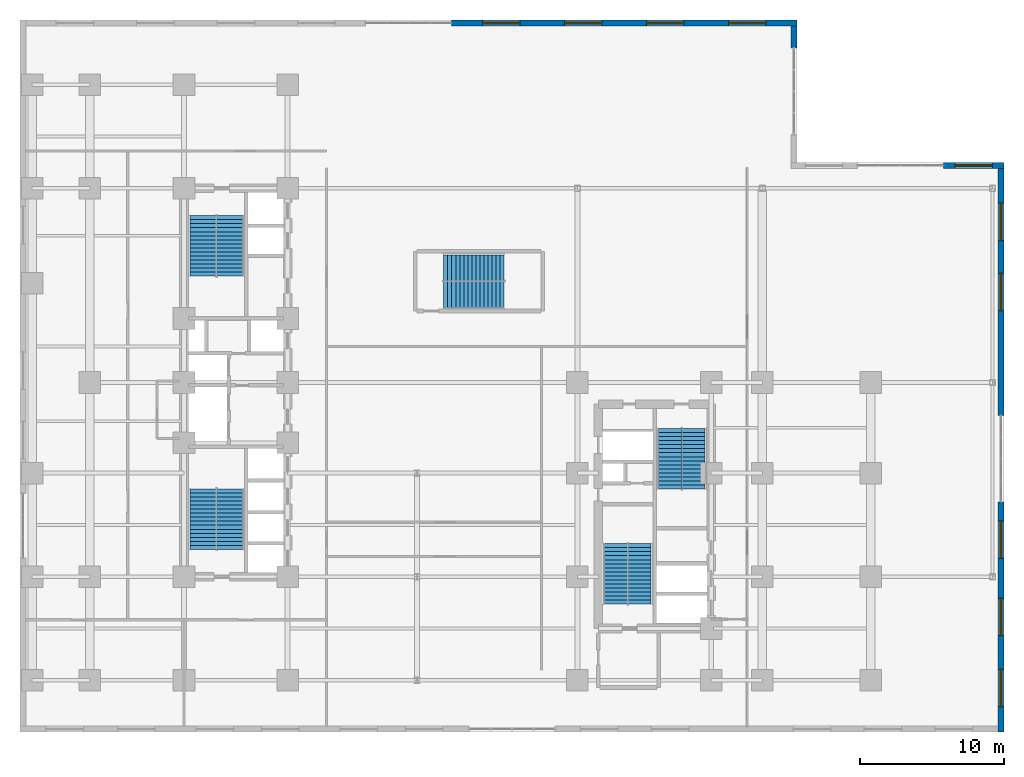
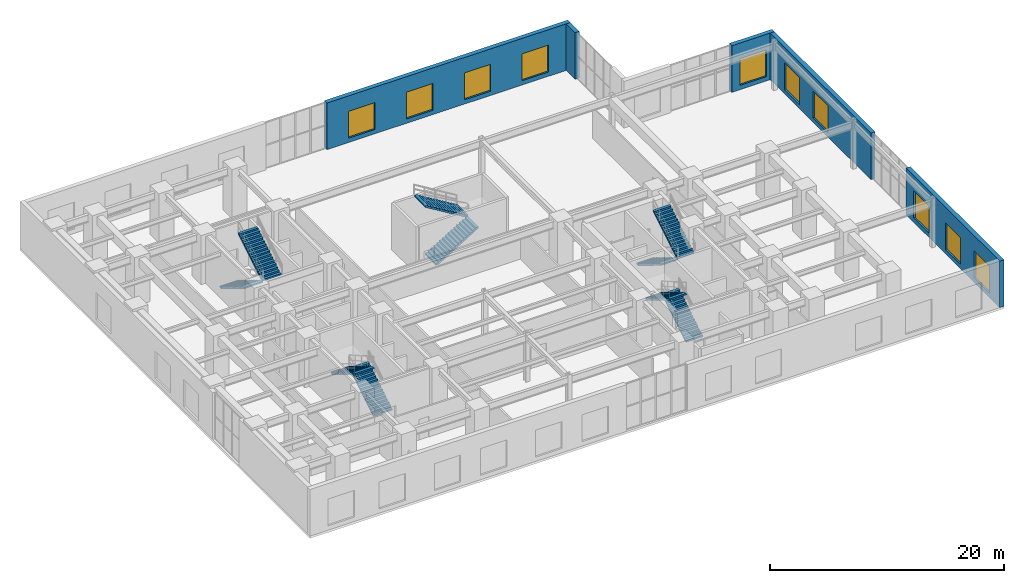
# One storey, part 20 of 23: 10 stair flights, 10 windows, 5 walls, 10 openings, 5 elements without a shape of their own.
"""IFC4 building model written with IfcOpenShell, lengths in metres."""

import ifcopenshell
import ifcopenshell.guid

model = None  # the IFC model being written
_history = None  # IfcOwnerHistory: only IFC2X3 demands one
_inside = {}  # id of a spatial element -> (the spatial element, [elements in it])
_under = {}  # id of a project, library or spatial element -> (it, [spatial elements below it])
_declared = {}  # id of a project -> (the project, [libraries it declares])
_typed = {}  # id of a type object -> (the type object, [elements of that type])
_made_of = {}  # id of a material, layer set ... -> (it, [elements and type objects made of it])


def new_model(schema):
    """Start an empty IFC model of exactly this schema.

    Asked for "IFC4X3", IfcOpenShell would pick the latest addendum, in which some entities
    have other attributes; the version numbers below select the first issue.
    IFC2X3 requires an IfcOwnerHistory on every rooted entity: one is made here for all.
    """
    global model, _history
    if schema == "IFC4X3":
        model = ifcopenshell.file(schema_version=(4, 3, 0, 0))
    else:
        model = ifcopenshell.file(schema=schema)
    _inside.clear()
    _under.clear()
    _declared.clear()
    _typed.clear()
    _made_of.clear()
    _history = None
    if model.schema == "IFC2X3":
        org = make("IfcOrganization", Name="unknown")
        user = make(
            "IfcPersonAndOrganization",
            ThePerson=make("IfcPerson", FamilyName="unknown"),
            TheOrganization=org,
        )
        app = make(
            "IfcApplication",
            ApplicationDeveloper=org,
            Version="unknown",
            ApplicationFullName="unknown",
            ApplicationIdentifier="unknown",
        )
        _history = make(
            "IfcOwnerHistory",
            OwningUser=user,
            OwningApplication=app,
            ChangeAction="ADDED",
            CreationDate=0,
        )
    return model


def make(cls, **values):
    """One entity of the class cls with the attributes given. An attribute that is None is left unset."""
    return model.create_entity(
        cls, **{name: value for name, value in values.items() if value is not None}
    )


def entity(cls, *values):
    """Any entity or typed value of the class cls, its attributes in the order of the schema. None: left unset."""
    e = model.create_entity(cls)
    for i, value in enumerate(values):
        if value is not None:
            e[i] = value
    return e


def rooted(cls, **values):
    """An entity with a GlobalId (a new one), such as an element, a storey or a relation."""
    return make(cls, GlobalId=ifcopenshell.guid.new(), OwnerHistory=_history, **values)


def si_unit(unit_type, name, prefix=None):
    """IfcSIUnit, for example si_unit("LENGTHUNIT", "METRE", prefix="MILLI")."""
    return make("IfcSIUnit", UnitType=unit_type, Prefix=prefix, Name=name)


def converted_unit(unit_type, name, factor, base, dimensions=None, offset=None):
    """IfcConversionBasedUnit, such as the inch: factor (a typed value) times the base unit."""
    return make(
        "IfcConversionBasedUnit"
        if offset is None
        else "IfcConversionBasedUnitWithOffset",
        ConversionOffset=offset,
        Dimensions=None
        if dimensions is None
        else entity("IfcDimensionalExponents", *dimensions),
        UnitType=unit_type,
        Name=name,
        ConversionFactor=make(
            "IfcMeasureWithUnit", ValueComponent=factor, UnitComponent=base
        ),
    )


def assignment(units):
    """IfcUnitAssignment: the units of a project."""
    return None if units is None else make("IfcUnitAssignment", Units=units)


def point(xyz):
    """IfcCartesianPoint."""
    return None if xyz is None else make("IfcCartesianPoint", Coordinates=xyz)


def direction(xyz):
    """IfcDirection."""
    return None if xyz is None else make("IfcDirection", DirectionRatios=xyz)


def frame(location, z_axis=None, x_axis=None):
    """IfcAxis2Placement3D, a coordinate frame: its origin and axes. An axis left out is left unset."""
    return make(
        "IfcAxis2Placement3D",
        Location=point(location),
        Axis=direction(z_axis),
        RefDirection=direction(x_axis),
    )


def frame_2d(location, x_axis=None):
    """IfcAxis2Placement2D, a coordinate frame in the plane: its origin and x axis."""
    return make(
        "IfcAxis2Placement2D", Location=point(location), RefDirection=direction(x_axis)
    )


def origin_with_axes():
    """The frame at (0, 0, 0) with the z axis (0, 0, 1) and the x axis (1, 0, 0) written out."""
    return frame((0.0, 0.0, 0.0), z_axis=(0.0, 0.0, 1.0), x_axis=(1.0, 0.0, 0.0))


def origin_2d_with_axis():
    """The frame at (0, 0) in the plane with the x axis (1, 0) written out."""
    return frame_2d((0.0, 0.0), x_axis=(1.0, 0.0))


def place(relative_to, where):
    """IfcLocalPlacement: puts the frame where relative to a parent placement (None: the world)."""
    return make(
        "IfcLocalPlacement", PlacementRelTo=relative_to, RelativePlacement=where
    )


def context(
    kind, dimensions, precision=None, world=None, true_north=None, identifier=None
):
    """IfcGeometricRepresentationContext, for example the 3D "Model" context."""
    return make(
        "IfcGeometricRepresentationContext",
        ContextIdentifier=identifier,
        ContextType=kind,
        CoordinateSpaceDimension=dimensions,
        Precision=precision,
        WorldCoordinateSystem=world,
        TrueNorth=true_north,
    )


def subcontext(parent, identifier, kind, view, scale=None):
    """IfcGeometricRepresentationSubContext, for example "Body" below "Model"."""
    return make(
        "IfcGeometricRepresentationSubContext",
        ContextIdentifier=identifier,
        ContextType=kind,
        ParentContext=parent,
        TargetScale=scale,
        TargetView=view,
    )


def project(units=None, contexts=None):
    """IfcProject with its units and contexts."""
    return rooted(
        "IfcProject",
        Name="project",
        RepresentationContexts=contexts,
        UnitsInContext=assignment(units),
    )


def spatial(cls, under=None, at=None, **own):
    """A site, building, storey or space (cls), placed at a placement, below another one or the project."""
    s = rooted(cls, ObjectPlacement=at, **own)
    if under is not None:
        _under.setdefault(under.id(), (under, []))[1].append(s)
    return s


def polyline(points):
    """IfcPolyline through the points."""
    return make("IfcPolyline", Points=[point(p) for p in points])


def profile(cls, at=None, kind="AREA", **sizes):
    """A parametric profile (cls). Its sizes go by their IFC names, for example OverallWidth=200.0."""
    return make(cls, ProfileType=kind, Position=at, **sizes)


def rectangle(**sizes):
    """IfcRectangleProfileDef."""
    return profile("IfcRectangleProfileDef", **sizes)


def outline(outer, holes=None, kind="AREA"):
    """IfcArbitraryClosedProfileDef: a profile drawn as a closed curve; with holes, ...WithVoids."""
    if holes is None:
        return make("IfcArbitraryClosedProfileDef", ProfileType=kind, OuterCurve=outer)
    return make(
        "IfcArbitraryProfileDefWithVoids",
        ProfileType=kind,
        OuterCurve=outer,
        InnerCurves=holes,
    )


def extrude(swept, where, along, depth):
    """IfcExtrudedAreaSolid: the profile swept, set in the frame where, extruded along a direction by depth."""
    return make(
        "IfcExtrudedAreaSolid",
        SweptArea=swept,
        Position=where,
        ExtrudedDirection=direction(along),
        Depth=depth,
    )


def shape(context_of_items, identifier, shape_type, items):
    """IfcShapeRepresentation: the items that make up one representation, for example the "Body"."""
    return make(
        "IfcShapeRepresentation",
        ContextOfItems=context_of_items,
        RepresentationIdentifier=identifier,
        RepresentationType=shape_type,
        Items=items,
    )


def material(Name=None, Category=None):
    """IfcMaterial."""
    return make("IfcMaterial", Name=Name, Category=Category)


def layer(
    of_material, thickness, ventilated=None, Name=None, Category=None, Priority=None
):
    """IfcMaterialLayer: one layer of a wall or slab, of a material (None: an air gap)."""
    return make(
        "IfcMaterialLayer",
        Material=of_material,
        LayerThickness=thickness,
        IsVentilated=ventilated,
        Name=Name,
        Category=Category,
        Priority=Priority,
    )


def layer_set(layers, Name=None):
    """IfcMaterialLayerSet."""
    return make("IfcMaterialLayerSet", MaterialLayers=layers, LayerSetName=Name)


def made_of(thing, what):
    """Note that an element or type object is made of a material, layer set ...; save() writes the relation."""
    if what is not None:
        _made_of.setdefault(what.id(), (what, []))[1].append(thing)
    return thing


def type_object(cls, material=None, **own):
    """A type object (cls), such as IfcWallType, which elements share."""
    return made_of(rooted(cls, **own), material)


def element(
    cls,
    number,
    at=None,
    inside=None,
    cuts=None,
    type_object=None,
    material=None,
    context=None,
    identifier="Body",
    shape_type=None,
    held_by="IfcProductDefinitionShape",
    body=None,
    shapes=None,
    **own,
):
    """One element of the class cls, such as IfcWall. Its Tag is "e" and its number.

    at: its placement. inside: the storey or other place that contains it. cuts: it is an
    opening in that element (IfcRelVoidsElement). A single representation is given by context,
    identifier, shape_type and body (its items); several are given by shapes. held_by: the class
    of the entity that holds the representations. save() writes the other relations.
    """
    e = rooted(cls, Tag="e%d" % number, ObjectPlacement=at, **own)
    if body is not None:
        shapes = [shape(context, identifier, shape_type, body)]
    if shapes is not None:
        e.Representation = make(held_by, Representations=shapes)
    if inside is not None:
        _inside.setdefault(inside.id(), (inside, []))[1].append(e)
    if cuts is not None:
        rooted(
            "IfcRelVoidsElement", RelatingBuildingElement=cuts, RelatedOpeningElement=e
        )
    if type_object is not None:
        _typed.setdefault(type_object.id(), (type_object, []))[1].append(e)
    return made_of(e, material)


def fill(opening, filler):
    """IfcRelFillsElement: the door or window that sits in an opening."""
    return rooted(
        "IfcRelFillsElement",
        RelatingOpeningElement=opening,
        RelatedBuildingElement=filler,
    )


def aggregate(whole, parts):
    """IfcRelAggregates: a whole, such as a stair, and the parts it consists of."""
    return rooted("IfcRelAggregates", RelatingObject=whole, RelatedObjects=parts)


def save(model, path):
    """Write the relations noted so far, then the file.

    IfcRelAggregates (storeys below a building ...), IfcRelContainedInSpatialStructure (elements
    in a storey), IfcRelDefinesByType, IfcRelAssociatesMaterial and IfcRelDeclares: one each for
    every whole, place, type object, material and project.
    """
    for whole, parts in _under.values():
        aggregate(whole, parts)
    for where, things in _inside.values():
        rooted(
            "IfcRelContainedInSpatialStructure",
            RelatedElements=things,
            RelatingStructure=where,
        )
    for kind, things in _typed.values():
        rooted("IfcRelDefinesByType", RelatedObjects=things, RelatingType=kind)
    for what, things in _made_of.values():
        rooted("IfcRelAssociatesMaterial", RelatedObjects=things, RelatingMaterial=what)
    for by, libraries in _declared.values():
        rooted("IfcRelDeclares", RelatingContext=by, RelatedDefinitions=libraries)
    model.write(path)


model = new_model("IFC4")

# Units and contexts
model_context = context("Model", 3, precision=1e-05, world=origin_with_axes(), true_north=direction((0.0, 1.0)))
body_context = subcontext(model_context, "Body", "Model", "MODEL_VIEW")
ifc_project = project(units=[si_unit("LENGTHUNIT", "METRE"), si_unit("AREAUNIT", "SQUARE_METRE"), si_unit("VOLUMEUNIT", "CUBIC_METRE"), converted_unit("PLANEANGLEUNIT", "DEGREE", entity("IfcPlaneAngleMeasure", 0.017453292519943295), si_unit("PLANEANGLEUNIT", "RADIAN"), dimensions=[0, 0, 0, 0, 0, 0, 0]), si_unit("MASSUNIT", "GRAM", prefix="KILO"), si_unit("THERMODYNAMICTEMPERATUREUNIT", "KELVIN")], contexts=[model_context])

# Site, building, storey
site_placement = place(None, origin_with_axes())
site = spatial("IfcSite", under=ifc_project, at=site_placement, CompositionType="ELEMENT")
building_placement = place(site_placement, origin_with_axes())
building = spatial("IfcBuilding", under=site, at=building_placement, Name="Varnlund Millrace Tower", CompositionType="ELEMENT")
storey_placement = place(building_placement, frame((0.0, 0.0, 5.7), z_axis=(0.0, 0.0, 1.0), x_axis=(1.0, 0.0, 0.0)))
storey = spatial("IfcBuildingStorey", under=building, at=storey_placement, Name="L01", CompositionType="ELEMENT", Elevation=5.7)

# Wall, openings, windows
ifc_material_1 = material(Name="Precast concrete C50/60", Category="concrete")
ifc_layer = layer(ifc_material_1, 0.42, Name="Precast concrete C50/60")
ifc_layer_set = layer_set([ifc_layer], Name="Precast concrete C50/60")
wall_type = type_object("IfcWallType", Name="Type-ExtWall-Precast-Pier-420", PredefinedType="SOLIDWALL", material=ifc_layer_set)
wall_1_placement = place(storey_placement, frame((30.0, 49.29, 0.0), z_axis=(0.0, 0.0, 1.0), x_axis=(1.0, 0.0, 0.0)))
wall_1 = element("IfcWall", 1, at=wall_1_placement, inside=storey, type_object=wall_type, Name="Type-ExtWall-Precast-Pier-420", PredefinedType="SOLIDWALL", context=body_context, shape_type="SweptSolid", body=[
    extrude(outline(polyline([(0.0, -0.21), (24.0, -0.21), (24.0, 0.21), (0.0, 0.21), (0.0, -0.21)])), origin_with_axes(), (0.0, 0.0, 1.0), 4.86),
])
opening_1_placement = place(wall_1_placement, frame((3.45, 0.0, 0.45), z_axis=(0.0, 0.0, 1.0), x_axis=(1.0, 0.0, 0.0)))
opening_1 = element("IfcOpeningElement", 2, at=opening_1_placement, cuts=wall_1, Name="Opening L01:WN-19", PredefinedType="OPENING", context=body_context, shape_type="SweptSolid", body=[
    extrude(rectangle(XDim=2.6, YDim=0.44, at=origin_2d_with_axis()), origin_with_axes(), (0.0, 0.0, 1.0), 2.8),
])
opening_2_placement = place(wall_1_placement, frame((9.15, 0.0, 0.45), z_axis=(0.0, 0.0, 1.0), x_axis=(1.0, 0.0, 0.0)))
opening_2 = element("IfcOpeningElement", 3, at=opening_2_placement, cuts=wall_1, Name="Opening L01:WN-20", PredefinedType="OPENING", context=body_context, shape_type="SweptSolid", body=[
    extrude(rectangle(XDim=2.6, YDim=0.44, at=origin_2d_with_axis()), origin_with_axes(), (0.0, 0.0, 1.0), 2.8),
])
opening_3_placement = place(wall_1_placement, frame((14.85, 0.0, 0.45), z_axis=(0.0, 0.0, 1.0), x_axis=(1.0, 0.0, 0.0)))
opening_3 = element("IfcOpeningElement", 4, at=opening_3_placement, cuts=wall_1, Name="Opening L01:WN-21", PredefinedType="OPENING", context=body_context, shape_type="SweptSolid", body=[
    extrude(rectangle(XDim=2.6, YDim=0.44, at=origin_2d_with_axis()), origin_with_axes(), (0.0, 0.0, 1.0), 2.8),
])
opening_4_placement = place(wall_1_placement, frame((20.55, 0.0, 0.45), z_axis=(0.0, 0.0, 1.0), x_axis=(1.0, 0.0, 0.0)))
opening_4 = element("IfcOpeningElement", 5, at=opening_4_placement, cuts=wall_1, Name="Opening L01:WN-22", PredefinedType="OPENING", context=body_context, shape_type="SweptSolid", body=[
    extrude(rectangle(XDim=2.6, YDim=0.44, at=origin_2d_with_axis()), origin_with_axes(), (0.0, 0.0, 1.0), 2.8),
])
ifc_material_2 = material(Name="Argon low-e triple glazing in thermally broken bronze frame", Category="glass")
window_type = type_object("IfcWindowType", Name="Type-Window-Podium-2600X2800", PartitioningType="SINGLE_PANEL", PredefinedType="WINDOW", material=ifc_material_2)
window_1_placement = place(wall_1_placement, frame((3.45, 0.0, 0.45), z_axis=(0.0, 0.0, 1.0), x_axis=(1.0, 0.0, 0.0)))
window_1 = element("IfcWindow", 6, at=window_1_placement, inside=storey, type_object=window_type, Name="Type-Window-Podium-2600X2800", OverallHeight=2.8, OverallWidth=2.6, PredefinedType="WINDOW", context=body_context, shape_type="SweptSolid", body=[
    extrude(rectangle(XDim=2.6, YDim=0.09, at=origin_2d_with_axis()), origin_with_axes(), (0.0, 0.0, 1.0), 2.8),
])
fill(opening_1, window_1)
window_2_placement = place(wall_1_placement, frame((9.15, 0.0, 0.45), z_axis=(0.0, 0.0, 1.0), x_axis=(1.0, 0.0, 0.0)))
window_2 = element("IfcWindow", 7, at=window_2_placement, inside=storey, type_object=window_type, Name="Type-Window-Podium-2600X2800", OverallHeight=2.8, OverallWidth=2.6, PredefinedType="WINDOW", context=body_context, shape_type="SweptSolid", body=[
    extrude(rectangle(XDim=2.6, YDim=0.09, at=origin_2d_with_axis()), origin_with_axes(), (0.0, 0.0, 1.0), 2.8),
])
fill(opening_2, window_2)
window_3_placement = place(wall_1_placement, frame((14.85, 0.0, 0.45), z_axis=(0.0, 0.0, 1.0), x_axis=(1.0, 0.0, 0.0)))
window_3 = element("IfcWindow", 8, at=window_3_placement, inside=storey, type_object=window_type, Name="Type-Window-Podium-2600X2800", OverallHeight=2.8, OverallWidth=2.6, PredefinedType="WINDOW", context=body_context, shape_type="SweptSolid", body=[
    extrude(rectangle(XDim=2.6, YDim=0.09, at=origin_2d_with_axis()), origin_with_axes(), (0.0, 0.0, 1.0), 2.8),
])
fill(opening_3, window_3)
window_4_placement = place(wall_1_placement, frame((20.55, 0.0, 0.45), z_axis=(0.0, 0.0, 1.0), x_axis=(1.0, 0.0, 0.0)))
window_4 = element("IfcWindow", 9, at=window_4_placement, inside=storey, type_object=window_type, Name="Type-Window-Podium-2600X2800", OverallHeight=2.8, OverallWidth=2.6, PredefinedType="WINDOW", context=body_context, shape_type="SweptSolid", body=[
    extrude(rectangle(XDim=2.6, YDim=0.09, at=origin_2d_with_axis()), origin_with_axes(), (0.0, 0.0, 1.0), 2.8),
])
fill(opening_4, window_4)

# Wall
wall_2_placement = place(storey_placement, frame((53.79, 49.08, 0.0), z_axis=(0.0, 0.0, 1.0), x_axis=(0.0, -1.0, 0.0)))
element("IfcWall", 10, at=wall_2_placement, inside=storey, type_object=wall_type, Name="Type-ExtWall-Precast-Pier-420", PredefinedType="SOLIDWALL", context=body_context, shape_type="SweptSolid", body=[
    extrude(outline(polyline([(0.0, -0.21), (1.53, -0.21), (1.53, 0.21), (0.0, 0.21), (0.0, -0.21)])), origin_with_axes(), (0.0, 0.0, 1.0), 4.86),
])

# Wall, opening, window
wall_3_placement = place(storey_placement, frame((64.2, 39.39, 0.0), z_axis=(0.0, 0.0, 1.0), x_axis=(1.0, 0.0, 0.0)))
wall_3 = element("IfcWall", 11, at=wall_3_placement, inside=storey, type_object=wall_type, Name="Type-ExtWall-Precast-Pier-420", PredefinedType="SOLIDWALL", context=body_context, shape_type="SweptSolid", body=[
    extrude(outline(polyline([(0.0, -0.21), (4.2, -0.21), (4.2, 0.21), (0.0, 0.21), (0.0, -0.21)])), origin_with_axes(), (0.0, 0.0, 1.0), 4.86),
])
opening_5_placement = place(wall_3_placement, frame((2.1, 0.0, 0.45), z_axis=(0.0, 0.0, 1.0), x_axis=(1.0, 0.0, 0.0)))
opening_5 = element("IfcOpeningElement", 12, at=opening_5_placement, cuts=wall_3, Name="Opening L01:WN-24", PredefinedType="OPENING", context=body_context, shape_type="SweptSolid", body=[
    extrude(rectangle(XDim=2.6, YDim=0.44, at=origin_2d_with_axis()), origin_with_axes(), (0.0, 0.0, 1.0), 2.8),
])
window_5_placement = place(wall_3_placement, frame((2.1, 0.0, 0.45), z_axis=(0.0, 0.0, 1.0), x_axis=(1.0, 0.0, 0.0)))
window_5 = element("IfcWindow", 13, at=window_5_placement, inside=storey, type_object=window_type, Name="Type-Window-Podium-2600X2800", OverallHeight=2.8, OverallWidth=2.6, PredefinedType="WINDOW", context=body_context, shape_type="SweptSolid", body=[
    extrude(rectangle(XDim=2.6, YDim=0.09, at=origin_2d_with_axis()), origin_with_axes(), (0.0, 0.0, 1.0), 2.8),
])
fill(opening_5, window_5)

# Wall, openings, windows
wall_4_placement = place(storey_placement, frame((68.19, 39.18, 0.0), z_axis=(0.0, 0.0, 1.0), x_axis=(0.0, -1.0, 0.0)))
wall_4 = element("IfcWall", 14, at=wall_4_placement, inside=storey, type_object=wall_type, Name="Type-ExtWall-Precast-Pier-420", PredefinedType="SOLIDWALL", context=body_context, shape_type="SweptSolid", body=[
    extrude(outline(polyline([(0.0, -0.21), (17.18, -0.21), (17.18, 0.21), (0.0, 0.21), (0.0, -0.21)])), origin_with_axes(), (0.0, 0.0, 1.0), 4.86),
])
opening_6_placement = place(wall_4_placement, frame((3.713, 0.0, 0.45), z_axis=(0.0, 0.0, 1.0), x_axis=(1.0, 0.0, 0.0)))
opening_6 = element("IfcOpeningElement", 15, at=opening_6_placement, cuts=wall_4, Name="Opening L01:WN-25", PredefinedType="OPENING", context=body_context, shape_type="SweptSolid", body=[
    extrude(rectangle(XDim=2.6, YDim=0.44, at=origin_2d_with_axis()), origin_with_axes(), (0.0, 0.0, 1.0), 2.8),
])
opening_7_placement = place(wall_4_placement, frame((8.59, 0.0, 0.45), z_axis=(0.0, 0.0, 1.0), x_axis=(1.0, 0.0, 0.0)))
opening_7 = element("IfcOpeningElement", 16, at=opening_7_placement, cuts=wall_4, Name="Opening L01:WN-26", PredefinedType="OPENING", context=body_context, shape_type="SweptSolid", body=[
    extrude(rectangle(XDim=2.6, YDim=0.44, at=origin_2d_with_axis()), origin_with_axes(), (0.0, 0.0, 1.0), 2.8),
])
window_6_placement = place(wall_4_placement, frame((3.713, 0.0, 0.45), z_axis=(0.0, 0.0, 1.0), x_axis=(1.0, 0.0, 0.0)))
window_6 = element("IfcWindow", 17, at=window_6_placement, inside=storey, type_object=window_type, Name="Type-Window-Podium-2600X2800", OverallHeight=2.8, OverallWidth=2.6, PredefinedType="WINDOW", context=body_context, shape_type="SweptSolid", body=[
    extrude(rectangle(XDim=2.6, YDim=0.09, at=origin_2d_with_axis()), origin_with_axes(), (0.0, 0.0, 1.0), 2.8),
])
fill(opening_6, window_6)
window_7_placement = place(wall_4_placement, frame((8.59, 0.0, 0.45), z_axis=(0.0, 0.0, 1.0), x_axis=(1.0, 0.0, 0.0)))
window_7 = element("IfcWindow", 18, at=window_7_placement, inside=storey, type_object=window_type, Name="Type-Window-Podium-2600X2800", OverallHeight=2.8, OverallWidth=2.6, PredefinedType="WINDOW", context=body_context, shape_type="SweptSolid", body=[
    extrude(rectangle(XDim=2.6, YDim=0.09, at=origin_2d_with_axis()), origin_with_axes(), (0.0, 0.0, 1.0), 2.8),
])
fill(opening_7, window_7)

wall_5_placement = place(storey_placement, frame((68.19, 16.0, 0.0), z_axis=(0.0, 0.0, 1.0), x_axis=(0.0, -1.0, 0.0)))
wall_5 = element("IfcWall", 19, at=wall_5_placement, inside=storey, type_object=wall_type, Name="Type-ExtWall-Precast-Pier-420", PredefinedType="SOLIDWALL", context=body_context, shape_type="SweptSolid", body=[
    extrude(outline(polyline([(0.0, -0.21), (16.0, -0.21), (16.0, 0.21), (0.0, 0.21), (0.0, -0.21)])), origin_with_axes(), (0.0, 0.0, 1.0), 4.86),
])
opening_8_placement = place(wall_5_placement, frame((2.617, 0.0, 0.45), z_axis=(0.0, 0.0, 1.0), x_axis=(1.0, 0.0, 0.0)))
opening_8 = element("IfcOpeningElement", 20, at=opening_8_placement, cuts=wall_5, Name="Opening L01:WN-27", PredefinedType="OPENING", context=body_context, shape_type="SweptSolid", body=[
    extrude(rectangle(XDim=2.6, YDim=0.44, at=origin_2d_with_axis()), origin_with_axes(), (0.0, 0.0, 1.0), 2.8),
])
opening_9_placement = place(wall_5_placement, frame((8.0, 0.0, 0.45), z_axis=(0.0, 0.0, 1.0), x_axis=(1.0, 0.0, 0.0)))
opening_9 = element("IfcOpeningElement", 21, at=opening_9_placement, cuts=wall_5, Name="Opening L01:WN-28", PredefinedType="OPENING", context=body_context, shape_type="SweptSolid", body=[
    extrude(rectangle(XDim=2.6, YDim=0.44, at=origin_2d_with_axis()), origin_with_axes(), (0.0, 0.0, 1.0), 2.8),
])
opening_10_placement = place(wall_5_placement, frame((12.933, 0.0, 0.45), z_axis=(0.0, 0.0, 1.0), x_axis=(1.0, 0.0, 0.0)))
opening_10 = element("IfcOpeningElement", 22, at=opening_10_placement, cuts=wall_5, Name="Opening L01:WN-29", PredefinedType="OPENING", context=body_context, shape_type="SweptSolid", body=[
    extrude(rectangle(XDim=2.6, YDim=0.44, at=origin_2d_with_axis()), origin_with_axes(), (0.0, 0.0, 1.0), 2.8),
])
window_8_placement = place(wall_5_placement, frame((2.617, 0.0, 0.45), z_axis=(0.0, 0.0, 1.0), x_axis=(1.0, 0.0, 0.0)))
window_8 = element("IfcWindow", 23, at=window_8_placement, inside=storey, type_object=window_type, Name="Type-Window-Podium-2600X2800", OverallHeight=2.8, OverallWidth=2.6, PredefinedType="WINDOW", context=body_context, shape_type="SweptSolid", body=[
    extrude(rectangle(XDim=2.6, YDim=0.09, at=origin_2d_with_axis()), origin_with_axes(), (0.0, 0.0, 1.0), 2.8),
])
fill(opening_8, window_8)
window_9_placement = place(wall_5_placement, frame((8.0, 0.0, 0.45), z_axis=(0.0, 0.0, 1.0), x_axis=(1.0, 0.0, 0.0)))
window_9 = element("IfcWindow", 24, at=window_9_placement, inside=storey, type_object=window_type, Name="Type-Window-Podium-2600X2800", OverallHeight=2.8, OverallWidth=2.6, PredefinedType="WINDOW", context=body_context, shape_type="SweptSolid", body=[
    extrude(rectangle(XDim=2.6, YDim=0.09, at=origin_2d_with_axis()), origin_with_axes(), (0.0, 0.0, 1.0), 2.8),
])
fill(opening_9, window_9)
window_10_placement = place(wall_5_placement, frame((12.933, 0.0, 0.45), z_axis=(0.0, 0.0, 1.0), x_axis=(1.0, 0.0, 0.0)))
window_10 = element("IfcWindow", 25, at=window_10_placement, inside=storey, type_object=window_type, Name="Type-Window-Podium-2600X2800", OverallHeight=2.8, OverallWidth=2.6, PredefinedType="WINDOW", context=body_context, shape_type="SweptSolid", body=[
    extrude(rectangle(XDim=2.6, YDim=0.09, at=origin_2d_with_axis()), origin_with_axes(), (0.0, 0.0, 1.0), 2.8),
])
fill(opening_10, window_10)

# Stair, stair flights
ifc_material_3 = material(Name="Concrete C50/60", Category="concrete")
stair_type_1 = type_object("IfcStairType", Name="Type-Stair-Dogleg-165-510", PredefinedType="HALF_TURN_STAIR", material=ifc_material_3)
stair_1_placement = place(storey_placement, origin_with_axes())
stair_1 = element("IfcStair", 26, at=stair_1_placement, inside=storey, type_object=stair_type_1, Name="Type-Stair-Dogleg-165-510", PredefinedType="HALF_TURN_STAIR")
stair_flight_type_1 = type_object("IfcStairFlightType", Name="Type-Dogleg-Run-165-510", PredefinedType="STRAIGHT", material=ifc_material_1)
stair_flight_1_placement = place(storey_placement, frame((42.225, 8.9, 0.0), z_axis=(1.0, 0.0, 0.0), x_axis=(0.0, 1.0, 0.0)))
stair_flight_1 = element("IfcStairFlight", 27, at=stair_flight_1_placement, type_object=stair_flight_type_1, Name="ST-B1 flight 1", NumberOfRisers=15, NumberOfTreads=15, PredefinedType="STRAIGHT", RiserHeight=0.17, TreadLength=0.28, context=body_context, shape_type="SweptSolid", body=[
    extrude(outline(polyline([(0.0, 0.0), (0.0, 0.17), (0.28, 0.17), (0.28, 0.34), (0.56, 0.34), (0.56, 0.51), (0.84, 0.51), (0.84, 0.68), (1.12, 0.68), (1.12, 0.85), (1.4, 0.85), (1.4, 1.02), (1.68, 1.02), (1.68, 1.19), (1.96, 1.19), (1.96, 1.36), (2.24, 1.36), (2.24, 1.53), (2.52, 1.53), (2.52, 1.7), (2.8, 1.7), (2.8, 1.87), (3.08, 1.87), (3.08, 2.04), (3.36, 2.04), (3.36, 2.21), (3.64, 2.21), (3.64, 2.38), (3.92, 2.38), (3.92, 2.55), (4.2, 2.55), (4.2, 2.4), (0.28, 0.0), (0.0, 0.0)])), origin_with_axes(), (0.0, 0.0, 1.0), 1.65),
])
stair_flight_2_placement = place(storey_placement, frame((42.275, 13.1, 2.55), z_axis=(-1.0, 0.0, 0.0), x_axis=(0.0, -1.0, 0.0)))
stair_flight_2 = element("IfcStairFlight", 28, at=stair_flight_2_placement, type_object=stair_flight_type_1, Name="ST-B1 flight 2", NumberOfRisers=15, NumberOfTreads=15, PredefinedType="STRAIGHT", RiserHeight=0.17, TreadLength=0.28, context=body_context, shape_type="SweptSolid", body=[
    extrude(outline(polyline([(0.0, 0.0), (0.0, 0.17), (0.28, 0.17), (0.28, 0.34), (0.56, 0.34), (0.56, 0.51), (0.84, 0.51), (0.84, 0.68), (1.12, 0.68), (1.12, 0.85), (1.4, 0.85), (1.4, 1.02), (1.68, 1.02), (1.68, 1.19), (1.96, 1.19), (1.96, 1.36), (2.24, 1.36), (2.24, 1.53), (2.52, 1.53), (2.52, 1.7), (2.8, 1.7), (2.8, 1.87), (3.08, 1.87), (3.08, 2.04), (3.36, 2.04), (3.36, 2.21), (3.64, 2.21), (3.64, 2.38), (3.92, 2.38), (3.92, 2.55), (4.2, 2.55), (4.2, 2.4), (0.28, 0.0), (0.0, 0.0)])), origin_with_axes(), (0.0, 0.0, 1.0), 1.65),
])
aggregate(stair_1, [stair_flight_1, stair_flight_2])

stair_2_placement = place(storey_placement, origin_with_axes())
stair_2 = element("IfcStair", 29, at=stair_2_placement, inside=storey, type_object=stair_type_1, Name="Type-Stair-Dogleg-165-510", PredefinedType="HALF_TURN_STAIR")
stair_flight_3_placement = place(storey_placement, frame((46.025, 21.1, 0.0), z_axis=(-1.0, 0.0, 0.0), x_axis=(0.0, -1.0, 0.0)))
stair_flight_3 = element("IfcStairFlight", 30, at=stair_flight_3_placement, type_object=stair_flight_type_1, Name="ST-B2 flight 1", NumberOfRisers=15, NumberOfTreads=15, PredefinedType="STRAIGHT", RiserHeight=0.17, TreadLength=0.28, context=body_context, shape_type="SweptSolid", body=[
    extrude(outline(polyline([(0.0, 0.0), (0.0, 0.17), (0.28, 0.17), (0.28, 0.34), (0.56, 0.34), (0.56, 0.51), (0.84, 0.51), (0.84, 0.68), (1.12, 0.68), (1.12, 0.85), (1.4, 0.85), (1.4, 1.02), (1.68, 1.02), (1.68, 1.19), (1.96, 1.19), (1.96, 1.36), (2.24, 1.36), (2.24, 1.53), (2.52, 1.53), (2.52, 1.7), (2.8, 1.7), (2.8, 1.87), (3.08, 1.87), (3.08, 2.04), (3.36, 2.04), (3.36, 2.21), (3.64, 2.21), (3.64, 2.38), (3.92, 2.38), (3.92, 2.55), (4.2, 2.55), (4.2, 2.4), (0.28, 0.0), (0.0, 0.0)])), origin_with_axes(), (0.0, 0.0, 1.0), 1.65),
])
stair_flight_4_placement = place(storey_placement, frame((45.975, 16.9, 2.55), z_axis=(1.0, 0.0, 0.0), x_axis=(0.0, 1.0, 0.0)))
stair_flight_4 = element("IfcStairFlight", 31, at=stair_flight_4_placement, type_object=stair_flight_type_1, Name="ST-B2 flight 2", NumberOfRisers=15, NumberOfTreads=15, PredefinedType="STRAIGHT", RiserHeight=0.17, TreadLength=0.28, context=body_context, shape_type="SweptSolid", body=[
    extrude(outline(polyline([(0.0, 0.0), (0.0, 0.17), (0.28, 0.17), (0.28, 0.34), (0.56, 0.34), (0.56, 0.51), (0.84, 0.51), (0.84, 0.68), (1.12, 0.68), (1.12, 0.85), (1.4, 0.85), (1.4, 1.02), (1.68, 1.02), (1.68, 1.19), (1.96, 1.19), (1.96, 1.36), (2.24, 1.36), (2.24, 1.53), (2.52, 1.53), (2.52, 1.7), (2.8, 1.7), (2.8, 1.87), (3.08, 1.87), (3.08, 2.04), (3.36, 2.04), (3.36, 2.21), (3.64, 2.21), (3.64, 2.38), (3.92, 2.38), (3.92, 2.55), (4.2, 2.55), (4.2, 2.4), (0.28, 0.0), (0.0, 0.0)])), origin_with_axes(), (0.0, 0.0, 1.0), 1.65),
])
aggregate(stair_2, [stair_flight_3, stair_flight_4])

stair_type_2 = type_object("IfcStairType", Name="Type-Stair-Dogleg-185-510", PredefinedType="HALF_TURN_STAIR", material=ifc_material_3)
stair_3_placement = place(storey_placement, origin_with_axes())
stair_3 = element("IfcStair", 32, at=stair_3_placement, inside=storey, type_object=stair_type_2, Name="Type-Stair-Dogleg-185-510", PredefinedType="HALF_TURN_STAIR")
stair_flight_type_2 = type_object("IfcStairFlightType", Name="Type-Dogleg-Run-185-510", PredefinedType="STRAIGHT", material=ifc_material_1)
stair_flight_5_placement = place(storey_placement, frame((13.625, 12.7, 0.0), z_axis=(1.0, 0.0, 0.0), x_axis=(0.0, 1.0, 0.0)))
stair_flight_5 = element("IfcStairFlight", 33, at=stair_flight_5_placement, type_object=stair_flight_type_2, Name="ST-A1 flight 1", NumberOfRisers=15, NumberOfTreads=15, PredefinedType="STRAIGHT", RiserHeight=0.17, TreadLength=0.28, context=body_context, shape_type="SweptSolid", body=[
    extrude(outline(polyline([(0.0, 0.0), (0.0, 0.17), (0.28, 0.17), (0.28, 0.34), (0.56, 0.34), (0.56, 0.51), (0.84, 0.51), (0.84, 0.68), (1.12, 0.68), (1.12, 0.85), (1.4, 0.85), (1.4, 1.02), (1.68, 1.02), (1.68, 1.19), (1.96, 1.19), (1.96, 1.36), (2.24, 1.36), (2.24, 1.53), (2.52, 1.53), (2.52, 1.7), (2.8, 1.7), (2.8, 1.87), (3.08, 1.87), (3.08, 2.04), (3.36, 2.04), (3.36, 2.21), (3.64, 2.21), (3.64, 2.38), (3.92, 2.38), (3.92, 2.55), (4.2, 2.55), (4.2, 2.4), (0.28, 0.0), (0.0, 0.0)])), origin_with_axes(), (0.0, 0.0, 1.0), 1.85),
])
stair_flight_6_placement = place(storey_placement, frame((13.675, 16.9, 2.55), z_axis=(-1.0, 0.0, 0.0), x_axis=(0.0, -1.0, 0.0)))
stair_flight_6 = element("IfcStairFlight", 34, at=stair_flight_6_placement, type_object=stair_flight_type_2, Name="ST-A1 flight 2", NumberOfRisers=15, NumberOfTreads=15, PredefinedType="STRAIGHT", RiserHeight=0.17, TreadLength=0.28, context=body_context, shape_type="SweptSolid", body=[
    extrude(outline(polyline([(0.0, 0.0), (0.0, 0.17), (0.28, 0.17), (0.28, 0.34), (0.56, 0.34), (0.56, 0.51), (0.84, 0.51), (0.84, 0.68), (1.12, 0.68), (1.12, 0.85), (1.4, 0.85), (1.4, 1.02), (1.68, 1.02), (1.68, 1.19), (1.96, 1.19), (1.96, 1.36), (2.24, 1.36), (2.24, 1.53), (2.52, 1.53), (2.52, 1.7), (2.8, 1.7), (2.8, 1.87), (3.08, 1.87), (3.08, 2.04), (3.36, 2.04), (3.36, 2.21), (3.64, 2.21), (3.64, 2.38), (3.92, 2.38), (3.92, 2.55), (4.2, 2.55), (4.2, 2.4), (0.28, 0.0), (0.0, 0.0)])), origin_with_axes(), (0.0, 0.0, 1.0), 1.85),
])
aggregate(stair_3, [stair_flight_5, stair_flight_6])

stair_4_placement = place(storey_placement, origin_with_axes())
stair_4 = element("IfcStair", 35, at=stair_4_placement, inside=storey, type_object=stair_type_2, Name="Type-Stair-Dogleg-185-510", PredefinedType="HALF_TURN_STAIR")
stair_flight_7_placement = place(storey_placement, frame((13.675, 35.9, 0.0), z_axis=(-1.0, 0.0, 0.0), x_axis=(0.0, -1.0, 0.0)))
stair_flight_7 = element("IfcStairFlight", 36, at=stair_flight_7_placement, type_object=stair_flight_type_2, Name="ST-A2 flight 1", NumberOfRisers=15, NumberOfTreads=15, PredefinedType="STRAIGHT", RiserHeight=0.17, TreadLength=0.28, context=body_context, shape_type="SweptSolid", body=[
    extrude(outline(polyline([(0.0, 0.0), (0.0, 0.17), (0.28, 0.17), (0.28, 0.34), (0.56, 0.34), (0.56, 0.51), (0.84, 0.51), (0.84, 0.68), (1.12, 0.68), (1.12, 0.85), (1.4, 0.85), (1.4, 1.02), (1.68, 1.02), (1.68, 1.19), (1.96, 1.19), (1.96, 1.36), (2.24, 1.36), (2.24, 1.53), (2.52, 1.53), (2.52, 1.7), (2.8, 1.7), (2.8, 1.87), (3.08, 1.87), (3.08, 2.04), (3.36, 2.04), (3.36, 2.21), (3.64, 2.21), (3.64, 2.38), (3.92, 2.38), (3.92, 2.55), (4.2, 2.55), (4.2, 2.4), (0.28, 0.0), (0.0, 0.0)])), origin_with_axes(), (0.0, 0.0, 1.0), 1.85),
])
stair_flight_8_placement = place(storey_placement, frame((13.625, 31.7, 2.55), z_axis=(1.0, 0.0, 0.0), x_axis=(0.0, 1.0, 0.0)))
stair_flight_8 = element("IfcStairFlight", 37, at=stair_flight_8_placement, type_object=stair_flight_type_2, Name="ST-A2 flight 2", NumberOfRisers=15, NumberOfTreads=15, PredefinedType="STRAIGHT", RiserHeight=0.17, TreadLength=0.28, context=body_context, shape_type="SweptSolid", body=[
    extrude(outline(polyline([(0.0, 0.0), (0.0, 0.17), (0.28, 0.17), (0.28, 0.34), (0.56, 0.34), (0.56, 0.51), (0.84, 0.51), (0.84, 0.68), (1.12, 0.68), (1.12, 0.85), (1.4, 0.85), (1.4, 1.02), (1.68, 1.02), (1.68, 1.19), (1.96, 1.19), (1.96, 1.36), (2.24, 1.36), (2.24, 1.53), (2.52, 1.53), (2.52, 1.7), (2.8, 1.7), (2.8, 1.87), (3.08, 1.87), (3.08, 2.04), (3.36, 2.04), (3.36, 2.21), (3.64, 2.21), (3.64, 2.38), (3.92, 2.38), (3.92, 2.55), (4.2, 2.55), (4.2, 2.4), (0.28, 0.0), (0.0, 0.0)])), origin_with_axes(), (0.0, 0.0, 1.0), 1.85),
])
aggregate(stair_4, [stair_flight_7, stair_flight_8])

stair_5_placement = place(storey_placement, origin_with_axes())
stair_5 = element("IfcStair", 38, at=stair_5_placement, inside=storey, type_object=stair_type_2, Name="Type-Stair-Dogleg-185-510", PredefinedType="HALF_TURN_STAIR")
stair_flight_9_placement = place(storey_placement, frame((29.45, 31.375, 0.0), z_axis=(0.0, -1.0, 0.0), x_axis=(1.0, 0.0, 0.0)))
stair_flight_9 = element("IfcStairFlight", 39, at=stair_flight_9_placement, type_object=stair_flight_type_2, Name="ST-P1 flight 1", NumberOfRisers=15, NumberOfTreads=15, PredefinedType="STRAIGHT", RiserHeight=0.17, TreadLength=0.28, context=body_context, shape_type="SweptSolid", body=[
    extrude(outline(polyline([(0.0, 0.0), (0.0, 0.17), (0.28, 0.17), (0.28, 0.34), (0.56, 0.34), (0.56, 0.51), (0.84, 0.51), (0.84, 0.68), (1.12, 0.68), (1.12, 0.85), (1.4, 0.85), (1.4, 1.02), (1.68, 1.02), (1.68, 1.19), (1.96, 1.19), (1.96, 1.36), (2.24, 1.36), (2.24, 1.53), (2.52, 1.53), (2.52, 1.7), (2.8, 1.7), (2.8, 1.87), (3.08, 1.87), (3.08, 2.04), (3.36, 2.04), (3.36, 2.21), (3.64, 2.21), (3.64, 2.38), (3.92, 2.38), (3.92, 2.55), (4.2, 2.55), (4.2, 2.4), (0.28, 0.0), (0.0, 0.0)])), origin_with_axes(), (0.0, 0.0, 1.0), 1.85),
])
stair_flight_10_placement = place(storey_placement, frame((33.65, 31.325, 2.55), z_axis=(0.0, 1.0, 0.0), x_axis=(-1.0, 0.0, 0.0)))
stair_flight_10 = element("IfcStairFlight", 40, at=stair_flight_10_placement, type_object=stair_flight_type_2, Name="ST-P1 flight 2", NumberOfRisers=15, NumberOfTreads=15, PredefinedType="STRAIGHT", RiserHeight=0.17, TreadLength=0.28, context=body_context, shape_type="SweptSolid", body=[
    extrude(outline(polyline([(0.0, 0.0), (0.0, 0.17), (0.28, 0.17), (0.28, 0.34), (0.56, 0.34), (0.56, 0.51), (0.84, 0.51), (0.84, 0.68), (1.12, 0.68), (1.12, 0.85), (1.4, 0.85), (1.4, 1.02), (1.68, 1.02), (1.68, 1.19), (1.96, 1.19), (1.96, 1.36), (2.24, 1.36), (2.24, 1.53), (2.52, 1.53), (2.52, 1.7), (2.8, 1.7), (2.8, 1.87), (3.08, 1.87), (3.08, 2.04), (3.36, 2.04), (3.36, 2.21), (3.64, 2.21), (3.64, 2.38), (3.92, 2.38), (3.92, 2.55), (4.2, 2.55), (4.2, 2.4), (0.28, 0.0), (0.0, 0.0)])), origin_with_axes(), (0.0, 0.0, 1.0), 1.85),
])
aggregate(stair_5, [stair_flight_9, stair_flight_10])

save(model, "model.ifc")
